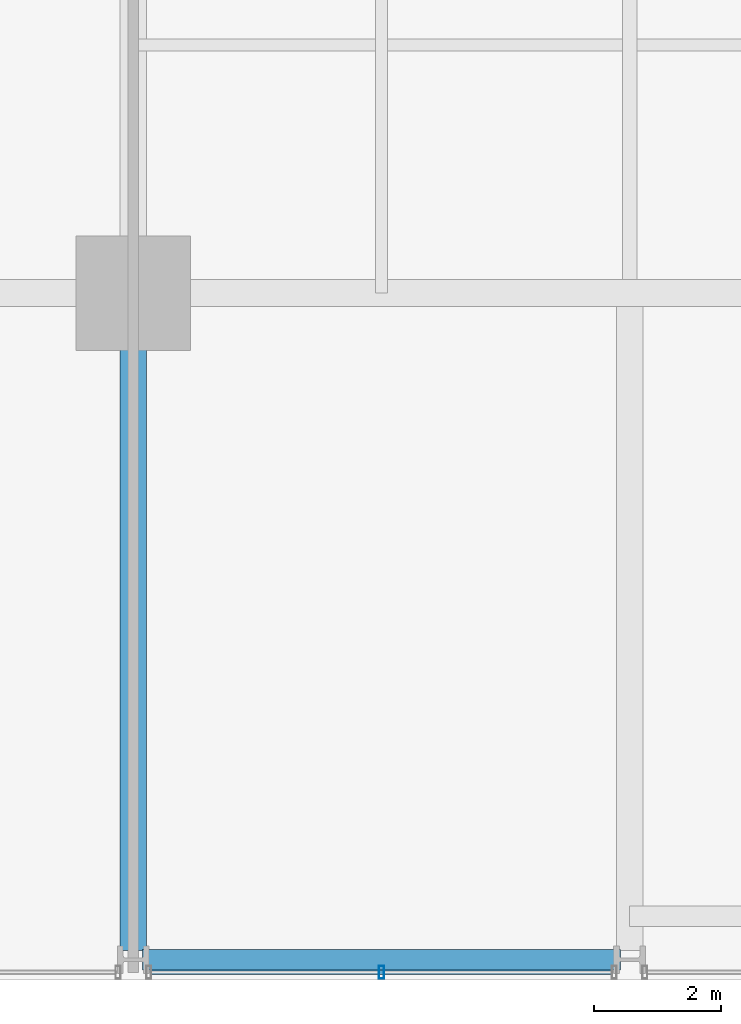
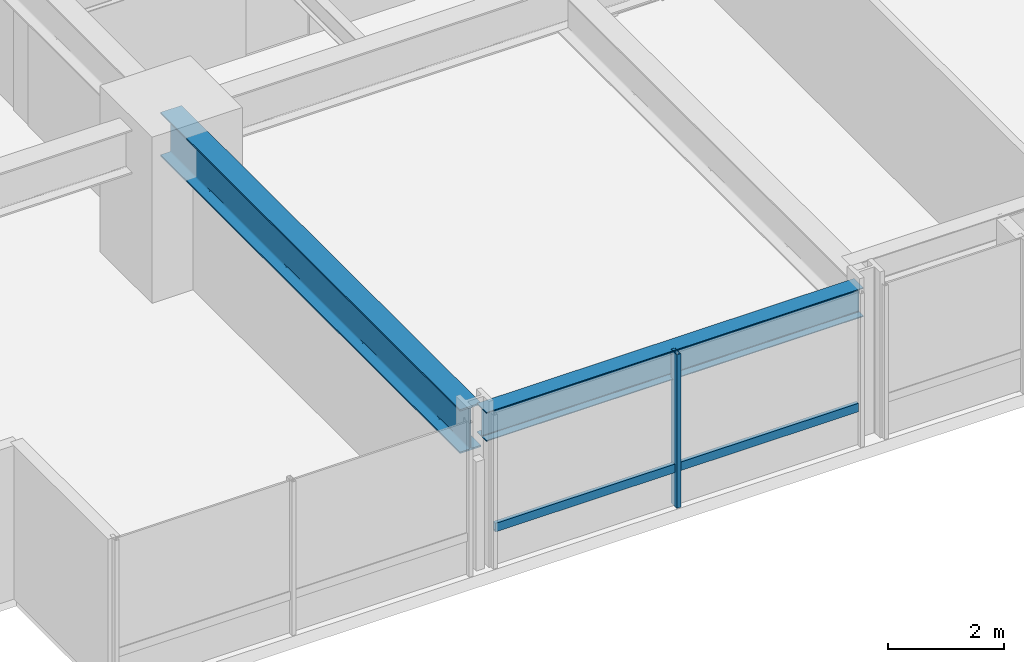
# One storey, part 3 of 38: 2 beams, 2 members, 1 element without a shape of its own.
"""IFC4 building model written with IfcOpenShell, lengths in metres."""

from ifc_helpers import new_model, si_unit, direction, frame, origin, origin_2d, place, context, subcontext, project, spatial, hollow_rectangle, i_section, extrude, material, layer, layer_set, material_profile, profile_set, type_object, element, aggregate, save


model = new_model("IFC4")

# Units and contexts
model_context = context("Model", 3, precision=1e-05, world=origin(), true_north=direction((0.0, 1.0)))
body_context = subcontext(model_context, "Body", "Model", "MODEL_VIEW")
ifc_project = project(units=[si_unit("LENGTHUNIT", "METRE"), si_unit("AREAUNIT", "SQUARE_METRE"), si_unit("VOLUMEUNIT", "CUBIC_METRE"), si_unit("PLANEANGLEUNIT", "RADIAN"), si_unit("MASSUNIT", "GRAM", prefix="KILO")], contexts=[model_context])

# Site, building, storey
site_placement = place(None, origin())
site = spatial("IfcSite", under=ifc_project, at=site_placement, CompositionType="ELEMENT")
building_placement = place(site_placement, origin())
building = spatial("IfcBuilding", under=site, at=building_placement, Name="Drelvath Grand Hotel", CompositionType="ELEMENT")
storey_placement = place(building_placement, frame((0.0, 0.0, 50.699951171875)))
storey = spatial("IfcBuildingStorey", under=building, at=storey_placement, Name="L11", CompositionType="ELEMENT", Elevation=50.699951171875)

# Curtain wall, members
ifc_material_1 = material(Name="Warm Bronze Anodised Aluminium Frame", Category="aluminium")
ifc_layer = layer(ifc_material_1, 0.199951171875)
ifc_layer_set = layer_set([ifc_layer], Name="Warm Bronze Anodised Aluminium Frame")
curtain_wall_type = type_object("IfcCurtainWallType", Name="Stick Curtain Wall CW-02 Warm Bronze Low-Rise", PredefinedType="NOTDEFINED", material=ifc_layer_set)
curtain_wall_placement = place(storey_placement, origin())
curtain_wall = element("IfcCurtainWall", 1, at=curtain_wall_placement, inside=storey, type_object=curtain_wall_type, Name="L11 CW-02 Curtain Wall CW02-L11-SW2", PredefinedType="NOTDEFINED")
ifc_material_profile_1 = material_profile(ifc_material_1, hollow_rectangle(XDim=0.074951171875, YDim=0.179931640625, WallThickness=0.0048828125, at=origin_2d()), Name="HSS180X75X5")
ifc_profile_set_1 = profile_set([ifc_material_profile_1], Name="Warm Bronze Anodised Aluminium Frame")
member_type_1 = type_object("IfcMemberType", Name="Curtain Wall Horizontal Transom CW-02 HSS180X75X5", PredefinedType="USERDEFINED", material=ifc_profile_set_1)
member_1_placement = place(storey_placement, frame((-8.680908203125, 0.1201171875, 0.81005859375), z_axis=(-1.0, 0.0, 0.0), x_axis=(0.0, -1.0, 0.0)))
member_1 = element("IfcMember", 2, at=member_1_placement, type_object=member_type_1, Name="CW02-L11-SW2 Sill Transom", ObjectType="TRANSOM", PredefinedType="USERDEFINED", context=body_context, shape_type="SweptSolid", body=[
    extrude(hollow_rectangle(XDim=0.074951171875, YDim=0.179931640625, WallThickness=0.0048828125, at=origin_2d()), origin(), (0.0, 0.0, 1.0), 7.23828125),
])
ifc_material_profile_2 = material_profile(ifc_material_1, hollow_rectangle(XDim=0.080078125, YDim=0.199951171875, WallThickness=0.0048828125, at=origin_2d()), Name="HSS200X80X5")
ifc_profile_set_2 = profile_set([ifc_material_profile_2], Name="Warm Bronze Anodised Aluminium Frame")
member_type_2 = type_object("IfcMemberType", Name="Curtain Wall Vertical Mullion CW-02 HSS200X80X5", PredefinedType="MULLION", material=ifc_profile_set_2)
member_2_placement = place(storey_placement, frame((-12.300048828125, 0.1201171875, 0.0), z_axis=(0.0, 0.0, 1.0), x_axis=(1.0, 0.0, 0.0)))
member_2 = element("IfcMember", 3, at=member_2_placement, type_object=member_type_2, Name="CW02-L11-SW2 Mullion 2", PredefinedType="MULLION", context=body_context, shape_type="SweptSolid", body=[
    extrude(hollow_rectangle(XDim=0.080078125, YDim=0.199951171875, WallThickness=0.0048828125, at=origin_2d()), origin(), (0.0, 0.0, 1.0), 3.239990234375),
])
aggregate(curtain_wall, [member_2, member_1])

# Beams
ifc_material_2 = material(Name="Steel ASTM A992 Gr 50", Category="steel")
ifc_material_profile_3 = material_profile(ifc_material_2, i_section(OverallWidth=0.323974609375, OverallDepth=0.611083984375, WebThickness=0.0126953125, FlangeThickness=0.01904296875, FilletRadius=0.02197265625, at=origin_2d()), Name="W24X104")
ifc_profile_set_3 = profile_set([ifc_material_profile_3], Name="Steel ASTM A992 Gr 50")
beam_type_1 = type_object("IfcBeamType", Name="Perimeter Spandrel Beam W24X104", PredefinedType="SPANDREL", material=ifc_profile_set_3)
beam_1_placement = place(storey_placement, frame((-16.06005859375, 0.320068359375, 2.9345703125), z_axis=(1.0, 0.0, 0.0), x_axis=(0.0, 1.0, 0.0)))
element("IfcBeam", 4, at=beam_1_placement, inside=storey, type_object=beam_type_1, Name="L11 Spandrel South W", PredefinedType="SPANDREL", context=body_context, shape_type="SweptSolid", body=[
    extrude(i_section(OverallWidth=0.323974609375, OverallDepth=0.611083984375, WebThickness=0.0126953125, FlangeThickness=0.01904296875, FilletRadius=0.02197265625, at=origin_2d()), origin(), (0.0, 0.0, 1.0), 7.52001953125),
])
ifc_material_profile_4 = material_profile(ifc_material_2, i_section(OverallWidth=0.418212890625, OverallDepth=0.926513671875, WebThickness=0.019287109375, FlangeThickness=0.031982421875, FilletRadius=0.028076171875, at=origin_2d()), Name="W36X231")
ifc_profile_set_4 = profile_set([ifc_material_profile_4], Name="Steel ASTM A992 Gr 50")
beam_type_2 = type_object("IfcBeamType", Name="Primary Floor Girder W36X231", PredefinedType="BEAM", material=ifc_profile_set_4)
beam_2_placement = place(storey_placement, frame((-16.199951171875, 0.4599609375, 2.77685546875), z_axis=(0.0, 1.0, 0.0), x_axis=(-1.0, 0.0, 0.0)))
element("IfcBeam", 5, at=beam_2_placement, inside=storey, type_object=beam_type_2, Name="L11 South Grid Girder 3", PredefinedType="BEAM", context=body_context, shape_type="SweptSolid", body=[
    extrude(i_section(OverallWidth=0.418212890625, OverallDepth=0.926513671875, WebThickness=0.019287109375, FlangeThickness=0.031982421875, FilletRadius=0.028076171875, at=origin_2d()), origin(), (0.0, 0.0, 1.0), 10.340087890625),
])

save(model, "model.ifc")
